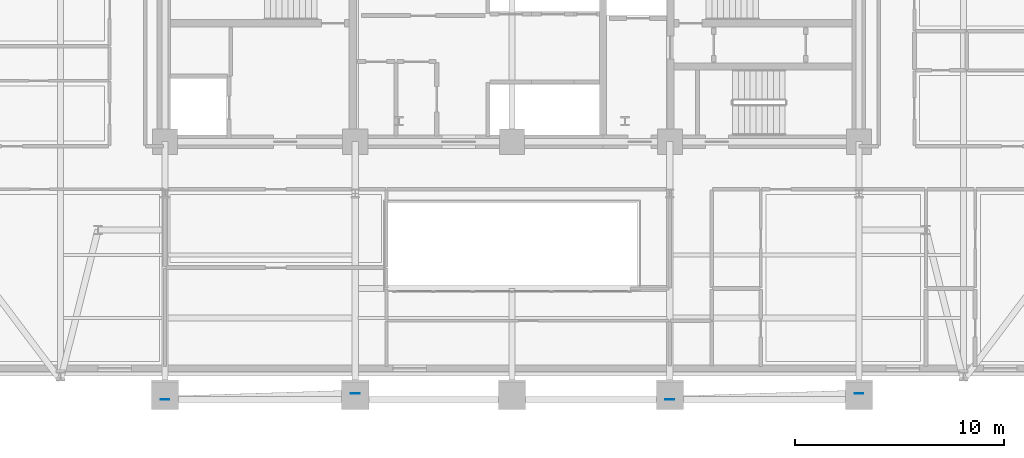
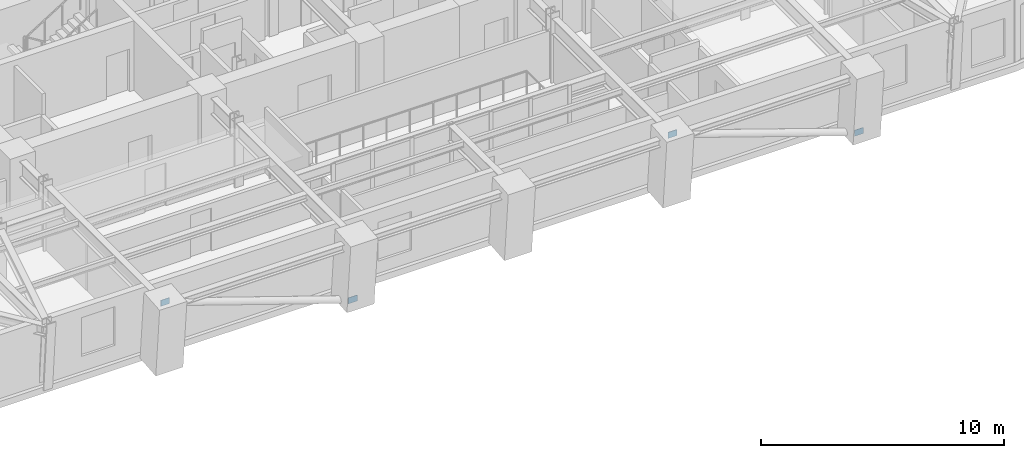
# One storey, part 6 of 15: 4 plates.
"""IFC4 building model written with IfcOpenShell, lengths in metres."""

from ifc_helpers import new_model, si_unit, direction, frame, origin, origin_2d, place, context, subcontext, project, spatial, rectangle, extrude, material, layer, layer_set, type_object, element, save


model = new_model("IFC4")

# Units and contexts
model_context = context("Model", 3, precision=1e-05, world=origin(), true_north=direction((0.0, 1.0)))
body_context = subcontext(model_context, "Body", "Model", "MODEL_VIEW")
ifc_project = project(units=[si_unit("LENGTHUNIT", "METRE"), si_unit("AREAUNIT", "SQUARE_METRE"), si_unit("VOLUMEUNIT", "CUBIC_METRE"), si_unit("PLANEANGLEUNIT", "RADIAN"), si_unit("MASSUNIT", "GRAM", prefix="KILO")], contexts=[model_context])

# Site, building, storey
site_placement = place(None, origin())
site = spatial("IfcSite", under=ifc_project, at=site_placement, CompositionType="ELEMENT")
building_placement = place(site_placement, origin())
building = spatial("IfcBuilding", under=site, at=building_placement, Name="Zarnavel Station Tower", CompositionType="ELEMENT")
storey_placement = place(building_placement, frame((0.0, 0.0, 115.300048828125)))
storey = spatial("IfcBuildingStorey", under=building, at=storey_placement, Name="L31", CompositionType="ELEMENT", Elevation=115.300048828125)

# Plates
ifc_material = material(Name="Steel S460M", Category="steel")
ifc_layer = layer(ifc_material, 0.02490234375)
ifc_layer_set = layer_set([ifc_layer], Name="GP_GUSSET_25")
plate_type = type_object("IfcPlateType", Name="GP_GUSSET_25", PredefinedType="USERDEFINED", material=ifc_layer_set)
for number, where, z_axis, x_axis, name in (
    (1, (21.300048828125, 15.779541015625, -0.14990234375), (0.0, 0.0, 1.0), (1.0, 0.0, 0.0), "L31 Exterior Diagonal Brace End Gusset 1-1"),
    (2, (12.199951171875, 15.48583984375, 3.08984375), (0.0, 0.0, 1.0), (1.0, 0.0, 0.0), "L31 Exterior Diagonal Brace End Gusset 1-2"),
    (3, (45.39990234375, 15.779541015625, -0.14990234375), (0.0, 0.0, 1.0), (1.0, 0.0, 0.0), "L31 Exterior Diagonal Brace End Gusset 2-1"),
    (4, (36.35009765625, 15.48583984375, 3.08984375), (0.0, 0.0, 1.0), (1.0, 0.0, 0.0), "L31 Exterior Diagonal Brace End Gusset 2-2"),
):
    element("IfcPlate", number, at=place(storey_placement, frame(where, z_axis=z_axis, x_axis=x_axis)), inside=storey, type_object=plate_type, Name=name, ObjectType="GUSSET_PLATE", PredefinedType="USERDEFINED", context=body_context, shape_type="SweptSolid", body=[
        extrude(rectangle(XDim=0.419921875, YDim=0.02490234375, at=origin_2d()), origin(), (0.0, 0.0, 1.0), 0.300048828125),
    ])

save(model, "model.ifc")
